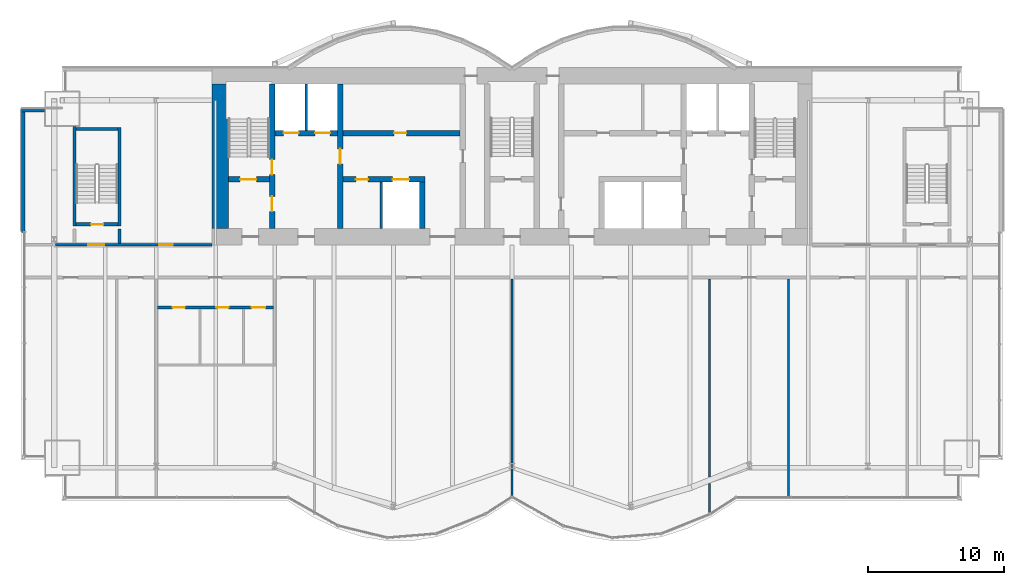
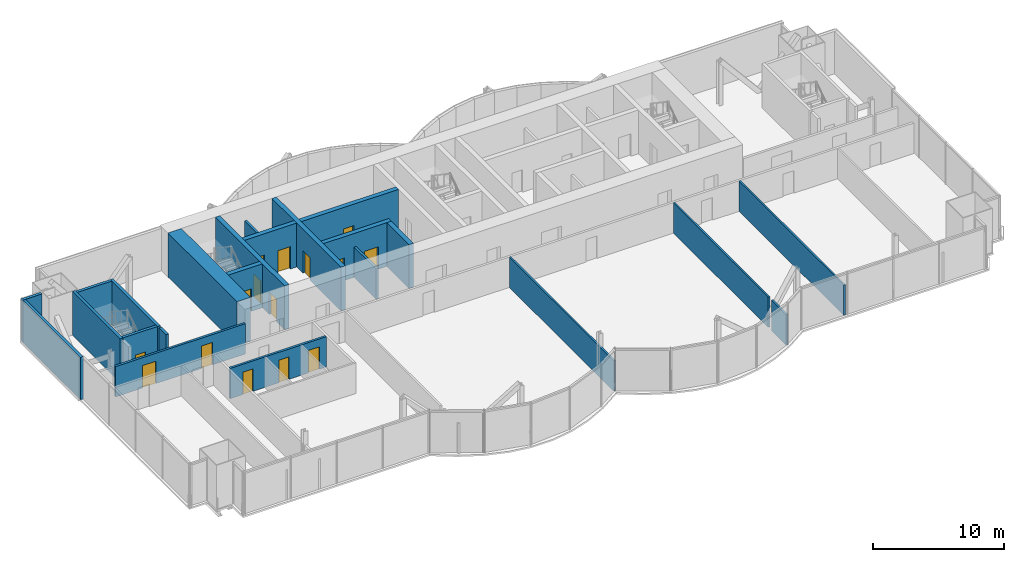
# One storey, part 14 of 20: 22 walls, 15 doors, 15 openings.
"""IFC4 building model written with IfcOpenShell, lengths in metres."""

from ifc_helpers import new_model, si_unit, direction, frame, frame_2d, origin, place, context, subcontext, project, spatial, rectangle, extrude, material, layer, layer_set, layer_usage, type_object, element, fill, save


model = new_model("IFC4")

# Units and contexts
model_context = context("Model", 3, precision=1e-05, world=origin(), true_north=direction((0.0, 1.0)))
body_context = subcontext(model_context, "Body", "Model", "MODEL_VIEW")
ifc_project = project(units=[si_unit("LENGTHUNIT", "METRE"), si_unit("AREAUNIT", "SQUARE_METRE"), si_unit("VOLUMEUNIT", "CUBIC_METRE"), si_unit("PLANEANGLEUNIT", "RADIAN"), si_unit("MASSUNIT", "GRAM", prefix="KILO")], contexts=[model_context])

# Site, building, storey
site_placement = place(None, origin())
site = spatial("IfcSite", under=ifc_project, at=site_placement, CompositionType="ELEMENT")
building_placement = place(site_placement, origin())
building = spatial("IfcBuilding", under=site, at=building_placement, Name="Bicima Exchange Tower", CompositionType="ELEMENT")
storey_placement = place(building_placement, frame((0.0, 0.0, 215.5)))
storey = spatial("IfcBuildingStorey", under=building, at=storey_placement, Name="L48", CompositionType="ELEMENT", Elevation=215.5)

# Walls
ifc_material_1 = material(Name="Gypsum board partition")
ifc_layer_1 = layer(ifc_material_1, 0.199951171875)
ifc_layer_set_1 = layer_set([ifc_layer_1], Name="Gypsum board partition")
wall_type_1 = type_object("IfcWallType", Name="Fire-rated gypsum partition 200 EI120", PredefinedType="PARTITIONING", material=ifc_layer_set_1)
for number, where, z_axis, x_axis, name in (
    (1, (-15.10009765625, -4.60009765625, 0.0), (0.0, 0.0, 1.0), (0.0, 1.0, 0.0), "partition wall 9"),
    (2, (-9.60009765625, -11.800048828125, 0.0), (0.0, 0.0, 1.0), (0.0, 1.0, 0.0), "partition wall 11"),
):
    element("IfcWall", number, at=place(storey_placement, frame(where, z_axis=z_axis, x_axis=x_axis)), inside=storey, type_object=wall_type_1, Name=name, PredefinedType="PARTITIONING", context=body_context, shape_type="SweptSolid", body=[
        extrude(rectangle(XDim=3.400146484375, YDim=0.199951171875, at=frame_2d((1.7001953125, 0.0))), origin(), (0.0, 0.0, 1.0), 2.84033203125),
    ])

# Wall, openings, doors
ifc_layer_2 = layer(ifc_material_1, 0.199951171875)
ifc_layer_set_2 = layer_set([ifc_layer_2], Name="Gypsum board partition")
wall_type_2 = type_object("IfcWallType", Name="Fire-rated gypsum partition 200 EI60", PredefinedType="PARTITIONING", material=ifc_layer_set_2)
wall_1_placement = place(storey_placement, frame((-26.0, -17.60009765625, 0.0), z_axis=(0.0, 0.0, 1.0), x_axis=(1.0, 0.0, 0.0)))
wall_1 = element("IfcWall", 3, at=wall_1_placement, inside=storey, type_object=wall_type_2, Name="partition wall 2", PredefinedType="PARTITIONING", context=body_context, shape_type="SweptSolid", body=[
    extrude(rectangle(XDim=8.5, YDim=0.199951171875, at=frame_2d((4.25, 0.0))), origin(), (0.0, 0.0, 1.0), 2.84033203125),
])
opening_1_placement = place(wall_1_placement, frame((1.10009765625, 0.0, 0.0)))
opening_1 = element("IfcOpeningElement", 4, at=opening_1_placement, cuts=wall_1, Name="Opening L48-010", PredefinedType="OPENING", context=body_context, shape_type="SweptSolid", body=[
    extrude(rectangle(XDim=0.89990234375, YDim=2.10009765625, at=frame_2d((0.449951171875, 1.050048828125))), frame((0.0, 0.11181640625, 0.0), z_axis=(0.0, -1.0, 0.0), x_axis=(1.0, 0.0, 0.0)), (0.0, 0.0, 1.0), 0.223876953125),
])
opening_2_placement = place(wall_1_placement, frame((4.300048828125, 0.0, 0.0)))
opening_2 = element("IfcOpeningElement", 5, at=opening_2_placement, cuts=wall_1, Name="Opening L48-011", PredefinedType="OPENING", context=body_context, shape_type="SweptSolid", body=[
    extrude(rectangle(XDim=0.89990234375, YDim=2.10009765625, at=frame_2d((0.449951171875, 1.050048828125))), frame((0.0, 0.11181640625, 0.0), z_axis=(0.0, -1.0, 0.0), x_axis=(1.0, 0.0, 0.0)), (0.0, 0.0, 1.0), 0.223876953125),
])
opening_3_placement = place(wall_1_placement, frame((6.89990234375, 0.0, 0.0)))
opening_3 = element("IfcOpeningElement", 6, at=opening_3_placement, cuts=wall_1, Name="Opening L48-012", PredefinedType="OPENING", context=body_context, shape_type="SweptSolid", body=[
    extrude(rectangle(XDim=1.0, YDim=2.10009765625, at=frame_2d((0.5, 1.050048828125))), frame((0.0, 0.11181640625, 0.0), z_axis=(0.0, -1.0, 0.0), x_axis=(1.0, 0.0, 0.0)), (0.0, 0.0, 1.0), 0.223876953125),
])
ifc_material_2 = material(Name="Steel fire door leaf", Category="steel")
door_type_1 = type_object("IfcDoorType", Name="Door 1000 swing FD30S", OperationType="SINGLE_SWING_LEFT", PredefinedType="DOOR", material=ifc_material_2)
door_1_placement = place(opening_3_placement, frame((1.0, 0.0, 0.0), z_axis=(0.0, 0.0, 1.0), x_axis=(-1.0, 0.0, 0.0)))
door_1 = element("IfcDoor", 7, at=door_1_placement, inside=storey, type_object=door_type_1, Name="Door", OperationType="SINGLE_SWING_RIGHT", OverallHeight=2.10009765625, OverallWidth=1.0, PredefinedType="DOOR", context=body_context, shape_type="SweptSolid", body=[
    extrude(rectangle(XDim=1.0, YDim=2.10009765625, at=frame_2d((0.5, 1.050048828125))), frame((0.0, 0.02490234375, 0.0), z_axis=(0.0, -1.0, 0.0), x_axis=(1.0, 0.0, 0.0)), (0.0, 0.0, 1.0), 0.050048828125),
])
fill(opening_3, door_1)
door_type_2 = type_object("IfcDoorType", Name="Door 900 swing FD30S", OperationType="SINGLE_SWING_LEFT", PredefinedType="DOOR", material=ifc_material_2)
door_2_placement = place(opening_1_placement, frame((0.89990234375, 0.0, 0.0), z_axis=(0.0, 0.0, 1.0), x_axis=(-1.0, 0.0, 0.0)))
door_2 = element("IfcDoor", 8, at=door_2_placement, inside=storey, type_object=door_type_2, Name="Door", OperationType="SINGLE_SWING_LEFT", OverallHeight=2.10009765625, OverallWidth=0.89990234375, PredefinedType="DOOR", context=body_context, shape_type="SweptSolid", body=[
    extrude(rectangle(XDim=0.89990234375, YDim=2.10009765625, at=frame_2d((0.449951171875, 1.050048828125))), frame((0.0, 0.02490234375, 0.0), z_axis=(0.0, -1.0, 0.0), x_axis=(1.0, 0.0, 0.0)), (0.0, 0.0, 1.0), 0.050048828125),
])
fill(opening_1, door_2)
door_3_placement = place(opening_2_placement, frame((0.89990234375, 0.0, 0.0), z_axis=(0.0, 0.0, 1.0), x_axis=(-1.0, 0.0, 0.0)))
door_3 = element("IfcDoor", 9, at=door_3_placement, inside=storey, type_object=door_type_2, Name="Door", OperationType="SINGLE_SWING_RIGHT", OverallHeight=2.10009765625, OverallWidth=0.89990234375, PredefinedType="DOOR", context=body_context, shape_type="SweptSolid", body=[
    extrude(rectangle(XDim=0.89990234375, YDim=2.10009765625, at=frame_2d((0.449951171875, 1.050048828125))), frame((0.0, 0.02490234375, 0.0), z_axis=(0.0, -1.0, 0.0), x_axis=(1.0, 0.0, 0.0)), (0.0, 0.0, 1.0), 0.050048828125),
])
fill(opening_2, door_3)

wall_2_placement = place(storey_placement, frame((-33.47998046875, -13.0, 0.0), z_axis=(0.0, 0.0, 1.0), x_axis=(1.0, 0.0, 0.0)))
wall_2 = element("IfcWall", 10, at=wall_2_placement, inside=storey, type_object=wall_type_2, Name="partition wall 5", PredefinedType="PARTITIONING", context=body_context, shape_type="SweptSolid", body=[
    extrude(rectangle(XDim=11.47998046875, YDim=0.199951171875, at=frame_2d((5.739990234375, 0.0))), origin(), (0.0, 0.0, 1.0), 2.84033203125),
])
opening_4_placement = place(wall_2_placement, frame((2.3798828125, 0.0, 0.0)))
opening_4 = element("IfcOpeningElement", 11, at=opening_4_placement, cuts=wall_2, Name="Opening L48-001", PredefinedType="OPENING", context=body_context, shape_type="SweptSolid", body=[
    extrude(rectangle(XDim=1.199951171875, YDim=2.10009765625, at=frame_2d((0.60009765625, 1.050048828125))), frame((0.0, 0.11181640625, 0.0), z_axis=(0.0, -1.0, 0.0), x_axis=(1.0, 0.0, 0.0)), (0.0, 0.0, 1.0), 0.223876953125),
])
opening_5_placement = place(wall_2_placement, frame((7.580078125, 0.0, 0.0)))
opening_5 = element("IfcOpeningElement", 12, at=opening_5_placement, cuts=wall_2, Name="Opening L48-005", PredefinedType="OPENING", context=body_context, shape_type="SweptSolid", body=[
    extrude(rectangle(XDim=1.0, YDim=2.10009765625, at=frame_2d((0.5, 1.050048828125))), frame((0.0, 0.11181640625, 0.0), z_axis=(0.0, -1.0, 0.0), x_axis=(1.0, 0.0, 0.0)), (0.0, 0.0, 1.0), 0.223876953125),
])
door_4_placement = place(opening_5_placement, origin())
door_4 = element("IfcDoor", 13, at=door_4_placement, inside=storey, type_object=door_type_1, Name="Door", OperationType="SINGLE_SWING_LEFT", OverallHeight=2.10009765625, OverallWidth=1.0, PredefinedType="DOOR", context=body_context, shape_type="SweptSolid", body=[
    extrude(rectangle(XDim=1.0, YDim=2.10009765625, at=frame_2d((0.5, 1.050048828125))), frame((0.0, 0.02490234375, 0.0), z_axis=(0.0, -1.0, 0.0), x_axis=(1.0, 0.0, 0.0)), (0.0, 0.0, 1.0), 0.050048828125),
])
fill(opening_5, door_4)
door_type_3 = type_object("IfcDoorType", Name="Door 1200 swing FD30S", OperationType="SINGLE_SWING_LEFT", PredefinedType="DOOR", material=ifc_material_2)
door_5_placement = place(opening_4_placement, origin())
door_5 = element("IfcDoor", 14, at=door_5_placement, inside=storey, type_object=door_type_3, Name="Door", OperationType="SINGLE_SWING_LEFT", OverallHeight=2.10009765625, OverallWidth=1.199951171875, PredefinedType="DOOR", context=body_context, shape_type="SweptSolid", body=[
    extrude(rectangle(XDim=1.199951171875, YDim=2.10009765625, at=frame_2d((0.60009765625, 1.050048828125))), frame((0.0, 0.02490234375, 0.0), z_axis=(0.0, -1.0, 0.0), x_axis=(1.0, 0.0, 0.0)), (0.0, 0.0, 1.0), 0.050048828125),
])
fill(opening_4, door_5)

# Walls
ifc_layer_3 = layer(ifc_material_1, 0.14990234375)
ifc_layer_set_3 = layer_set([ifc_layer_3], Name="Gypsum board partition")
wall_type_3 = type_object("IfcWallType", Name="Gypsum partition 150", PredefinedType="PARTITIONING", material=ifc_layer_set_3)
wall_3_placement = place(storey_placement, frame((0.0, -31.5, 0.0), z_axis=(0.0, 0.0, 1.0), x_axis=(0.0, 1.0, 0.0)))
element("IfcWall", 15, at=wall_3_placement, inside=storey, type_object=wall_type_3, Name="partition wall 21", PredefinedType="PARTITIONING", context=body_context, shape_type="SweptSolid", body=[
    extrude(rectangle(XDim=16.0, YDim=0.14990234375, at=frame_2d((8.0, 0.0))), origin(), (0.0, 0.0, 1.0), 2.84033203125),
])
wall_4_placement = place(storey_placement, frame((14.5, -32.780029296875, 0.0), z_axis=(0.0, 0.0, 1.0), x_axis=(0.0, 1.0, 0.0)))
element("IfcWall", 16, at=wall_4_placement, inside=storey, type_object=wall_type_3, Name="partition wall 22", PredefinedType="PARTITIONING", context=body_context, shape_type="SweptSolid", body=[
    extrude(rectangle(XDim=2.2685546875, YDim=0.14990234375, at=frame_2d((1.13427734375, 0.0))), origin(), (0.0, 0.0, 1.0), 2.84033203125),
])
wall_5_placement = place(storey_placement, frame((14.5, -30.023681640625, 0.0), z_axis=(0.0, 0.0, 1.0), x_axis=(0.0, 1.0, 0.0)))
element("IfcWall", 17, at=wall_5_placement, inside=storey, type_object=wall_type_3, Name="partition wall 23", PredefinedType="PARTITIONING", context=body_context, shape_type="SweptSolid", body=[
    extrude(rectangle(XDim=14.523681640625, YDim=0.14990234375, at=frame_2d((7.26171875, 0.0))), origin(), (0.0, 0.0, 1.0), 2.84033203125),
])
wall_6_placement = place(storey_placement, frame((20.300048828125, -31.5400390625, 0.0), z_axis=(0.0, 0.0, 1.0), x_axis=(0.0, 1.0, 0.0)))
element("IfcWall", 18, at=wall_6_placement, inside=storey, type_object=wall_type_3, Name="partition wall 24", PredefinedType="PARTITIONING", context=body_context, shape_type="SweptSolid", body=[
    extrude(rectangle(XDim=16.0400390625, YDim=0.14990234375, at=frame_2d((8.02001953125, 0.0))), origin(), (0.0, 0.0, 1.0), 2.84033203125),
])
ifc_material_3 = material(Name="Concrete C50/60", Category="concrete")
ifc_layer_4 = layer(ifc_material_3, 1.199951171875)
ifc_layer_set_4 = layer_set([ifc_layer_4], Name="Concrete C50/60")
wall_type_4 = type_object("IfcWallType", Name="RC core wall 1200 C50/60", PredefinedType="SHEAR", material=ifc_layer_set_4)
wall_7_placement = place(storey_placement, frame((-21.39990234375, -11.800048828125, 0.0), z_axis=(0.0, 0.0, 1.0), x_axis=(0.0, 1.0, 0.0)))
element("IfcWall", 19, at=wall_7_placement, inside=storey, type_object=wall_type_4, Name="Core wall west", PredefinedType="SHEAR", context=body_context, shape_type="SweptSolid", body=[
    extrude(rectangle(XDim=10.60009765625, YDim=1.199951171875, at=frame_2d((5.300048828125, 0.0))), origin(), (0.0, 0.0, 1.0), 4.10009765625),
])
ifc_layer_5 = layer(ifc_material_3, 0.25)
ifc_layer_set_5 = layer_set([ifc_layer_5], Name="Concrete C50/60")
wall_type_5 = type_object("IfcWallType", Name="RC core wall 250 C50/60", PredefinedType="SHEAR", material=ifc_layer_set_5)
wall_8_placement = place(storey_placement, frame((-28.800048828125, -12.89990234375, 0.0), z_axis=(0.0, 0.0, 1.0), x_axis=(0.0, 1.0, 0.0)))
element("IfcWall", 20, at=wall_8_placement, inside=storey, type_object=wall_type_5, Name="stair wall 14", PredefinedType="SHEAR", context=body_context, shape_type="SweptSolid", body=[
    extrude(rectangle(XDim=1.0498046875, YDim=0.25, at=frame_2d((0.52490234375, 0.0))), origin(), (0.0, 0.0, 1.0), 4.10009765625),
])

# Wall, opening, door
ifc_layer_6 = layer(ifc_material_3, 0.39990234375)
ifc_layer_set_6 = layer_set([ifc_layer_6], Name="Concrete C50/60")
wall_type_6 = type_object("IfcWallType", Name="RC core wall 400 C50/60", PredefinedType="SHEAR", material=ifc_layer_set_6)
wall_9_placement = place(storey_placement, frame((-20.800048828125, -8.199951171875, 0.0), z_axis=(0.0, 0.0, 1.0), x_axis=(1.0, 0.0, 0.0)))
wall_9 = element("IfcWall", 21, at=wall_9_placement, inside=storey, type_object=wall_type_6, Name="stair wall 1", PredefinedType="SHEAR", context=body_context, shape_type="SweptSolid", body=[
    extrude(rectangle(XDim=3.0, YDim=0.39990234375, at=frame_2d((1.5, 0.0))), origin(), (0.0, 0.0, 1.0), 4.10009765625),
])
opening_6_placement = place(wall_9_placement, frame((0.85009765625, 0.0, 0.0)))
opening_6 = element("IfcOpeningElement", 22, at=opening_6_placement, cuts=wall_9, Name="Opening L48-C01", PredefinedType="OPENING", context=body_context, shape_type="SweptSolid", body=[
    extrude(rectangle(XDim=1.199951171875, YDim=2.10009765625, at=frame_2d((0.60009765625, 1.050048828125))), frame((0.0, 0.2119140625, 0.0), z_axis=(0.0, -1.0, 0.0), x_axis=(1.0, 0.0, 0.0)), (0.0, 0.0, 1.0), 0.423828125),
])
door_type_4 = type_object("IfcDoorType", Name="Door 1200 swing FD60S", OperationType="SINGLE_SWING_LEFT", PredefinedType="DOOR", material=ifc_material_2)
door_6_placement = place(opening_6_placement, origin())
door_6 = element("IfcDoor", 23, at=door_6_placement, inside=storey, type_object=door_type_4, Name="Core door", OperationType="SINGLE_SWING_LEFT", OverallHeight=2.10009765625, OverallWidth=1.199951171875, PredefinedType="DOOR", context=body_context, shape_type="SweptSolid", body=[
    extrude(rectangle(XDim=1.199951171875, YDim=2.10009765625, at=frame_2d((0.60009765625, 1.050048828125))), frame((0.0, 0.02490234375, 0.0), z_axis=(0.0, -1.0, 0.0), x_axis=(1.0, 0.0, 0.0)), (0.0, 0.0, 1.0), 0.050048828125),
])
fill(opening_6, door_6)

# Wall, openings, doors
wall_10_placement = place(storey_placement, frame((-12.39990234375, -8.199951171875, 0.0), z_axis=(0.0, 0.0, 1.0), x_axis=(1.0, 0.0, 0.0)))
wall_10 = element("IfcWall", 24, at=wall_10_placement, inside=storey, type_object=wall_type_6, Name="shear wall 2", PredefinedType="SHEAR", context=body_context, shape_type="SweptSolid", body=[
    extrude(rectangle(XDim=6.0, YDim=0.39990234375, at=frame_2d((3.0, 0.0))), origin(), (0.0, 0.0, 1.0), 4.10009765625),
])
opening_7_placement = place(wall_10_placement, frame((3.64990234375, 0.0, 0.0)))
opening_7 = element("IfcOpeningElement", 25, at=opening_7_placement, cuts=wall_10, Name="Opening LD-MB1-L48", PredefinedType="OPENING", context=body_context, shape_type="SweptSolid", body=[
    extrude(rectangle(XDim=1.199951171875, YDim=2.10009765625, at=frame_2d((0.60009765625, 1.050048828125))), frame((0.0, 0.2119140625, 0.0), z_axis=(0.0, -1.0, 0.0), x_axis=(1.0, 0.0, 0.0)), (0.0, 0.0, 1.0), 0.423828125),
])
opening_8_placement = place(wall_10_placement, frame((0.949951171875, 0.0, 0.0)))
opening_8 = element("IfcOpeningElement", 26, at=opening_8_placement, cuts=wall_10, Name="Opening L48-C15", PredefinedType="OPENING", context=body_context, shape_type="SweptSolid", body=[
    extrude(rectangle(XDim=0.89990234375, YDim=2.10009765625, at=frame_2d((0.449951171875, 1.050048828125))), frame((0.0, 0.2119140625, 0.0), z_axis=(0.0, -1.0, 0.0), x_axis=(1.0, 0.0, 0.0)), (0.0, 0.0, 1.0), 0.423828125),
])
door_7_placement = place(opening_8_placement, frame((0.89990234375, 0.0, 0.0), z_axis=(0.0, 0.0, 1.0), x_axis=(-1.0, 0.0, 0.0)))
door_7 = element("IfcDoor", 27, at=door_7_placement, inside=storey, type_object=door_type_2, Name="Core door", OperationType="SINGLE_SWING_RIGHT", OverallHeight=2.10009765625, OverallWidth=0.89990234375, PredefinedType="DOOR", context=body_context, shape_type="SweptSolid", body=[
    extrude(rectangle(XDim=0.89990234375, YDim=2.10009765625, at=frame_2d((0.449951171875, 1.050048828125))), frame((0.0, 0.02490234375, 0.0), z_axis=(0.0, -1.0, 0.0), x_axis=(1.0, 0.0, 0.0)), (0.0, 0.0, 1.0), 0.050048828125),
])
fill(opening_8, door_7)
ifc_material_4 = material(Name="Stainless steel", Category="steel")
door_type_5 = type_object("IfcDoorType", Name="Lift landing door 1200 sliding", OperationType="DOUBLE_DOOR_SLIDING", PredefinedType="DOOR", material=ifc_material_4)
door_8_placement = place(opening_7_placement, origin())
door_8 = element("IfcDoor", 28, at=door_8_placement, inside=storey, type_object=door_type_5, Name="Lift landing door MB1", OperationType="DOUBLE_DOOR_SLIDING", OverallHeight=2.10009765625, OverallWidth=1.199951171875, PredefinedType="DOOR", context=body_context, shape_type="SweptSolid", body=[
    extrude(rectangle(XDim=1.199951171875, YDim=2.10009765625, at=frame_2d((0.60009765625, 1.050048828125))), frame((0.0, 0.02490234375, 0.0), z_axis=(0.0, -1.0, 0.0), x_axis=(1.0, 0.0, 0.0)), (0.0, 0.0, 1.0), 0.050048828125),
])
fill(opening_7, door_8)

wall_11_placement = place(storey_placement, frame((-17.39990234375, -4.800048828125, 0.0), z_axis=(0.0, 0.0, 1.0), x_axis=(1.0, 0.0, 0.0)))
wall_11 = element("IfcWall", 29, at=wall_11_placement, inside=storey, type_object=wall_type_6, Name="shear wall 6", PredefinedType="SHEAR", context=body_context, shape_type="SweptSolid", body=[
    extrude(rectangle(XDim=13.599853515625, YDim=0.39990234375, at=frame_2d((6.7998046875, 0.0))), origin(), (0.0, 0.0, 1.0), 4.10009765625),
])
opening_9_placement = place(wall_11_placement, frame((0.64990234375, 0.0, 0.0)))
opening_9 = element("IfcOpeningElement", 30, at=opening_9_placement, cuts=wall_11, Name="Opening LD-FF1-L48", PredefinedType="OPENING", context=body_context, shape_type="SweptSolid", body=[
    extrude(rectangle(XDim=1.10009765625, YDim=2.10009765625, at=frame_2d((0.550048828125, 1.050048828125))), frame((0.0, 0.2119140625, 0.0), z_axis=(0.0, -1.0, 0.0), x_axis=(1.0, 0.0, 0.0)), (0.0, 0.0, 1.0), 0.423828125),
])
opening_10_placement = place(wall_11_placement, frame((2.949951171875, 0.0, 0.0)))
opening_10 = element("IfcOpeningElement", 31, at=opening_10_placement, cuts=wall_11, Name="Opening LD-FF3-L48", PredefinedType="OPENING", context=body_context, shape_type="SweptSolid", body=[
    extrude(rectangle(XDim=1.10009765625, YDim=2.10009765625, at=frame_2d((0.550048828125, 1.050048828125))), frame((0.0, 0.2119140625, 0.0), z_axis=(0.0, -1.0, 0.0), x_axis=(1.0, 0.0, 0.0)), (0.0, 0.0, 1.0), 0.423828125),
])
opening_11_placement = place(wall_11_placement, frame((8.75, 0.0, 0.0)))
opening_11 = element("IfcOpeningElement", 32, at=opening_11_placement, cuts=wall_11, Name="Opening L48-C12", PredefinedType="OPENING", context=body_context, shape_type="SweptSolid", body=[
    extrude(rectangle(XDim=0.89990234375, YDim=2.10009765625, at=frame_2d((0.449951171875, 1.050048828125))), frame((0.0, 0.2119140625, 0.0), z_axis=(0.0, -1.0, 0.0), x_axis=(1.0, 0.0, 0.0)), (0.0, 0.0, 1.0), 0.423828125),
])
door_9_placement = place(opening_11_placement, origin())
door_9 = element("IfcDoor", 33, at=door_9_placement, inside=storey, type_object=door_type_2, Name="Core door", OperationType="SINGLE_SWING_RIGHT", OverallHeight=2.10009765625, OverallWidth=0.89990234375, PredefinedType="DOOR", context=body_context, shape_type="SweptSolid", body=[
    extrude(rectangle(XDim=0.89990234375, YDim=2.10009765625, at=frame_2d((0.449951171875, 1.050048828125))), frame((0.0, 0.02490234375, 0.0), z_axis=(0.0, -1.0, 0.0), x_axis=(1.0, 0.0, 0.0)), (0.0, 0.0, 1.0), 0.050048828125),
])
fill(opening_11, door_9)
door_type_6 = type_object("IfcDoorType", Name="Lift landing door 1100 sliding", OperationType="DOUBLE_DOOR_SLIDING", PredefinedType="DOOR", material=ifc_material_4)
door_10_placement = place(opening_9_placement, origin())
door_10 = element("IfcDoor", 34, at=door_10_placement, inside=storey, type_object=door_type_6, Name="Lift landing door FF1", OperationType="DOUBLE_DOOR_SLIDING", OverallHeight=2.10009765625, OverallWidth=1.10009765625, PredefinedType="DOOR", context=body_context, shape_type="SweptSolid", body=[
    extrude(rectangle(XDim=1.10009765625, YDim=2.10009765625, at=frame_2d((0.550048828125, 1.050048828125))), frame((0.0, 0.02490234375, 0.0), z_axis=(0.0, -1.0, 0.0), x_axis=(1.0, 0.0, 0.0)), (0.0, 0.0, 1.0), 0.050048828125),
])
fill(opening_9, door_10)
door_11_placement = place(opening_10_placement, origin())
door_11 = element("IfcDoor", 35, at=door_11_placement, inside=storey, type_object=door_type_6, Name="Lift landing door FF3", OperationType="DOUBLE_DOOR_SLIDING", OverallHeight=2.10009765625, OverallWidth=1.10009765625, PredefinedType="DOOR", context=body_context, shape_type="SweptSolid", body=[
    extrude(rectangle(XDim=1.10009765625, YDim=2.10009765625, at=frame_2d((0.550048828125, 1.050048828125))), frame((0.0, 0.02490234375, 0.0), z_axis=(0.0, -1.0, 0.0), x_axis=(1.0, 0.0, 0.0)), (0.0, 0.0, 1.0), 0.050048828125),
])
fill(opening_10, door_11)

wall_12_placement = place(storey_placement, frame((-17.60009765625, -11.800048828125, 0.0), z_axis=(0.0, 0.0, 1.0), x_axis=(0.0, 1.0, 0.0)))
wall_12 = element("IfcWall", 36, at=wall_12_placement, inside=storey, type_object=wall_type_6, Name="stair wall 8", PredefinedType="SHEAR", context=body_context, shape_type="SweptSolid", body=[
    extrude(rectangle(XDim=10.60009765625, YDim=0.39990234375, at=frame_2d((5.300048828125, 0.0))), origin(), (0.0, 0.0, 1.0), 4.10009765625),
])
opening_12_placement = place(wall_12_placement, frame((1.25, 0.0, 0.0)))
opening_12 = element("IfcOpeningElement", 37, at=opening_12_placement, cuts=wall_12, Name="Opening L48-C02", PredefinedType="OPENING", context=body_context, shape_type="SweptSolid", body=[
    extrude(rectangle(XDim=1.10009765625, YDim=2.10009765625, at=frame_2d((0.550048828125, 1.050048828125))), frame((0.0, 0.2119140625, 0.0), z_axis=(0.0, -1.0, 0.0), x_axis=(1.0, 0.0, 0.0)), (0.0, 0.0, 1.0), 0.423828125),
])
opening_13_placement = place(wall_12_placement, frame((3.949951171875, 0.0, 0.0)))
opening_13 = element("IfcOpeningElement", 38, at=opening_13_placement, cuts=wall_12, Name="Opening L48-C06", PredefinedType="OPENING", context=body_context, shape_type="SweptSolid", body=[
    extrude(rectangle(XDim=1.10009765625, YDim=2.10009765625, at=frame_2d((0.550048828125, 1.050048828125))), frame((0.0, 0.2119140625, 0.0), z_axis=(0.0, -1.0, 0.0), x_axis=(1.0, 0.0, 0.0)), (0.0, 0.0, 1.0), 0.423828125),
])
door_type_7 = type_object("IfcDoorType", Name="Door 1100 swing FD60S", OperationType="SINGLE_SWING_LEFT", PredefinedType="DOOR", material=ifc_material_2)
door_12_placement = place(opening_12_placement, frame((1.10009765625, 0.0, 0.0), z_axis=(0.0, 0.0, 1.0), x_axis=(-1.0, 0.0, 0.0)))
door_12 = element("IfcDoor", 39, at=door_12_placement, inside=storey, type_object=door_type_7, Name="Core door", OperationType="SINGLE_SWING_LEFT", OverallHeight=2.10009765625, OverallWidth=1.10009765625, PredefinedType="DOOR", context=body_context, shape_type="SweptSolid", body=[
    extrude(rectangle(XDim=1.10009765625, YDim=2.10009765625, at=frame_2d((0.550048828125, 1.050048828125))), frame((0.0, 0.02490234375, 0.0), z_axis=(0.0, -1.0, 0.0), x_axis=(1.0, 0.0, 0.0)), (0.0, 0.0, 1.0), 0.050048828125),
])
fill(opening_12, door_12)
door_13_placement = place(opening_13_placement, frame((1.10009765625, 0.0, 0.0), z_axis=(0.0, 0.0, 1.0), x_axis=(-1.0, 0.0, 0.0)))
door_13 = element("IfcDoor", 40, at=door_13_placement, inside=storey, type_object=door_type_7, Name="Core door", OperationType="SINGLE_SWING_LEFT", OverallHeight=2.10009765625, OverallWidth=1.10009765625, PredefinedType="DOOR", context=body_context, shape_type="SweptSolid", body=[
    extrude(rectangle(XDim=1.10009765625, YDim=2.10009765625, at=frame_2d((0.550048828125, 1.050048828125))), frame((0.0, 0.02490234375, 0.0), z_axis=(0.0, -1.0, 0.0), x_axis=(1.0, 0.0, 0.0)), (0.0, 0.0, 1.0), 0.050048828125),
])
fill(opening_13, door_13)

# Wall, opening, door
wall_13_placement = place(storey_placement, frame((-12.60009765625, -11.800048828125, 0.0), z_axis=(0.0, 0.0, 1.0), x_axis=(0.0, 1.0, 0.0)))
wall_13 = element("IfcWall", 41, at=wall_13_placement, inside=storey, type_object=wall_type_6, Name="shear wall 10", PredefinedType="SHEAR", context=body_context, shape_type="SweptSolid", body=[
    extrude(rectangle(XDim=10.60009765625, YDim=0.39990234375, at=frame_2d((5.300048828125, 0.0))), origin(), (0.0, 0.0, 1.0), 4.10009765625),
])
opening_14_placement = place(wall_13_placement, frame((4.75, 0.0, 0.0)))
opening_14 = element("IfcOpeningElement", 42, at=opening_14_placement, cuts=wall_13, Name="Opening L48-C07", PredefinedType="OPENING", context=body_context, shape_type="SweptSolid", body=[
    extrude(rectangle(XDim=1.10009765625, YDim=2.10009765625, at=frame_2d((0.550048828125, 1.050048828125))), frame((0.0, 0.2119140625, 0.0), z_axis=(0.0, -1.0, 0.0), x_axis=(1.0, 0.0, 0.0)), (0.0, 0.0, 1.0), 0.423828125),
])
door_14_placement = place(opening_14_placement, origin())
door_14 = element("IfcDoor", 43, at=door_14_placement, inside=storey, type_object=door_type_7, Name="Core door", OperationType="SINGLE_SWING_LEFT", OverallHeight=2.10009765625, OverallWidth=1.10009765625, PredefinedType="DOOR", context=body_context, shape_type="SweptSolid", body=[
    extrude(rectangle(XDim=1.10009765625, YDim=2.10009765625, at=frame_2d((0.550048828125, 1.050048828125))), frame((0.0, 0.02490234375, 0.0), z_axis=(0.0, -1.0, 0.0), x_axis=(1.0, 0.0, 0.0)), (0.0, 0.0, 1.0), 0.050048828125),
])
fill(opening_14, door_14)

# Walls
wall_14_placement = place(storey_placement, frame((-6.60009765625, -11.800048828125, 0.0), z_axis=(0.0, 0.0, 1.0), x_axis=(0.0, 1.0, 0.0)))
element("IfcWall", 44, at=wall_14_placement, inside=storey, type_object=wall_type_6, Name="shear wall 12", PredefinedType="SHEAR", context=body_context, shape_type="SweptSolid", body=[
    extrude(rectangle(XDim=3.400146484375, YDim=0.39990234375, at=frame_2d((1.7001953125, 0.0))), origin(), (0.0, 0.0, 1.0), 4.10009765625),
])
ifc_layer_7 = layer(ifc_material_3, 0.25)
ifc_layer_set_7 = layer_set([ifc_layer_7], Name="Concrete C50/60")
wall_type_7 = type_object("IfcWallType", Name="RC stair enclosure wall 250 C50/60", PredefinedType="SHEAR", material=ifc_layer_set_7)
wall_15_placement = place(storey_placement, frame((-32.10009765625, -11.625, 0.0), z_axis=(0.0, 0.0, 1.0), x_axis=(0.0, 1.0, 0.0)))
element("IfcWall", 45, at=wall_15_placement, inside=storey, type_object=wall_type_7, Name="West end exit stair wall W", PredefinedType="SHEAR", context=body_context, shape_type="SweptSolid", body=[
    extrude(rectangle(XDim=7.324951171875, YDim=0.25, at=frame_2d((3.66259765625, 0.0))), origin(), (0.0, 0.0, 1.0), 4.10009765625),
])
wall_16_placement = place(storey_placement, frame((-28.800048828125, -11.625, 0.0), z_axis=(0.0, 0.0, 1.0), x_axis=(0.0, 1.0, 0.0)))
element("IfcWall", 46, at=wall_16_placement, inside=storey, type_object=wall_type_7, Name="West end exit stair wall E", PredefinedType="SHEAR", context=body_context, shape_type="SweptSolid", body=[
    extrude(rectangle(XDim=7.25, YDim=0.25, at=frame_2d((3.625, 0.0))), origin(), (0.0, 0.0, 1.0), 4.10009765625),
])

# Wall, opening, door
wall_17_placement = place(storey_placement, frame((-31.97509765625, -11.5, 0.0), z_axis=(0.0, 0.0, 1.0), x_axis=(1.0, 0.0, 0.0)))
wall_17 = element("IfcWall", 47, at=wall_17_placement, inside=storey, type_object=wall_type_7, Name="West end exit stair wall S", PredefinedType="SHEAR", context=body_context, shape_type="SweptSolid", body=[
    extrude(rectangle(XDim=3.050048828125, YDim=0.25, at=frame_2d((1.52490234375, 0.0))), origin(), (0.0, 0.0, 1.0), 4.10009765625),
])
opening_15_placement = place(wall_17_placement, frame((1.10009765625, 0.0, 0.0)))
opening_15 = element("IfcOpeningElement", 48, at=opening_15_placement, cuts=wall_17, Name="Opening L48-002", PredefinedType="OPENING", context=body_context, shape_type="SweptSolid", body=[
    extrude(rectangle(XDim=0.89990234375, YDim=2.10009765625, at=frame_2d((0.449951171875, 1.050048828125))), frame((0.0, 0.136962890625, 0.0), z_axis=(0.0, -1.0, 0.0), x_axis=(1.0, 0.0, 0.0)), (0.0, 0.0, 1.0), 0.27392578125),
])
door_type_8 = type_object("IfcDoorType", Name="Door 900 swing FD60S", OperationType="SINGLE_SWING_LEFT", PredefinedType="DOOR", material=ifc_material_2)
door_15_placement = place(opening_15_placement, origin())
door_15 = element("IfcDoor", 49, at=door_15_placement, inside=storey, type_object=door_type_8, Name="Door", OperationType="SINGLE_SWING_LEFT", OverallHeight=2.10009765625, OverallWidth=0.89990234375, PredefinedType="DOOR", context=body_context, shape_type="SweptSolid", body=[
    extrude(rectangle(XDim=0.89990234375, YDim=2.10009765625, at=frame_2d((0.449951171875, 1.050048828125))), frame((0.0, 0.02490234375, 0.0), z_axis=(0.0, -1.0, 0.0), x_axis=(1.0, 0.0, 0.0)), (0.0, 0.0, 1.0), 0.050048828125),
])
fill(opening_15, door_15)

# Walls
wall_18_placement = place(storey_placement, frame((-31.97509765625, -4.5, 0.0), z_axis=(0.0, 0.0, 1.0), x_axis=(1.0, 0.0, 0.0)))
element("IfcWall", 50, at=wall_18_placement, inside=storey, type_object=wall_type_7, Name="West end exit stair wall N", PredefinedType="SHEAR", context=body_context, shape_type="SweptSolid", body=[
    extrude(rectangle(XDim=3.050048828125, YDim=0.25, at=frame_2d((1.52490234375, 0.0))), origin(), (0.0, 0.0, 1.0), 4.10009765625),
])
ifc_material_5 = material(Name="Concrete C40/50", Category="concrete")
ifc_layer_8 = layer(ifc_material_5, 0.25)
ifc_layer_set_8 = layer_set([ifc_layer_8], Name="Concrete C40/50")
ifc_layer_usage = layer_usage(ifc_layer_set_8, "AXIS2", "POSITIVE", -0.125)
wall_type_8 = type_object("IfcWallType", Name="Rear backup wall 250", PredefinedType="STANDARD", material=ifc_layer_set_8)
wall_19_placement = place(storey_placement, frame((-34.300048828125, -3.125, 0.0), z_axis=(0.0, 0.0, 1.0), x_axis=(-1.0, 0.0, 0.0)))
element("IfcWall", 51, at=wall_19_placement, inside=storey, type_object=wall_type_8, material=ifc_layer_usage, Name="Rear backup wall L48 22", PredefinedType="STANDARD", context=body_context, shape_type="SweptSolid", body=[
    extrude(rectangle(XDim=1.699951171875, YDim=0.25, at=frame_2d((0.85009765625, 0.0))), origin(), (0.0, 0.0, 1.0), 3.949951171875),
])
wall_20_placement = place(storey_placement, frame((-35.875, -3.0, 0.0), z_axis=(0.0, 0.0, 1.0), x_axis=(0.0, -1.0, 0.0)))
element("IfcWall", 52, at=wall_20_placement, inside=storey, type_object=wall_type_8, material=ifc_layer_usage, Name="Rear backup wall L48 23", PredefinedType="STANDARD", context=body_context, shape_type="SweptSolid", body=[
    extrude(rectangle(XDim=9.090087890625, YDim=0.25, at=frame_2d((4.544921875, 0.0))), origin(), (0.0, 0.0, 1.0), 3.949951171875),
])

save(model, "model.ifc")
